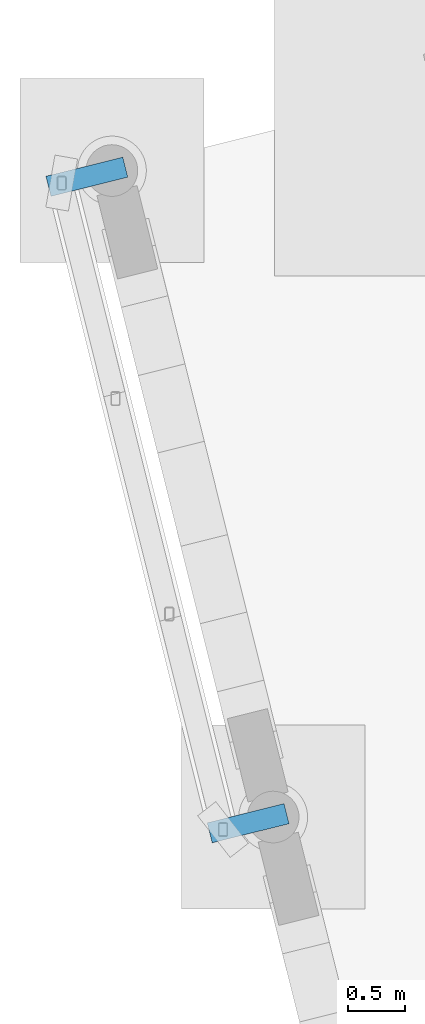
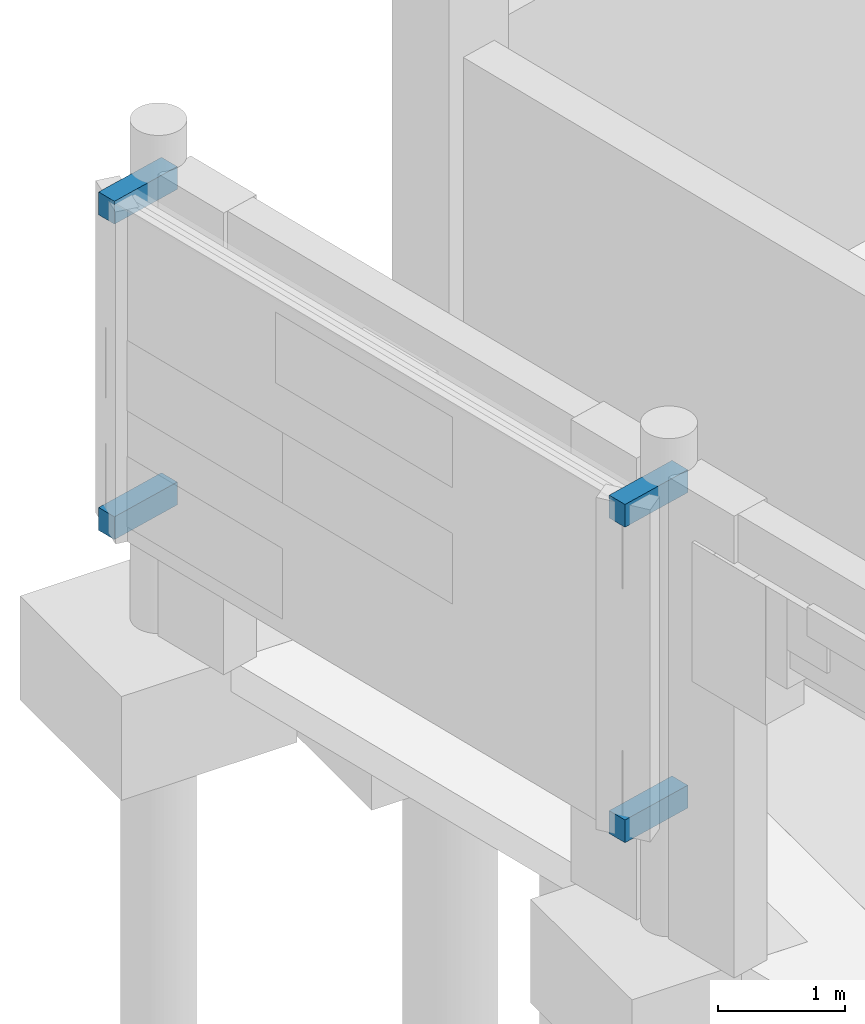
# One storey, part 55 of 72: 4 discrete accessories.
"""IFC4 building model written with IfcOpenShell, lengths in metres."""

from ifc_helpers import new_model, si_unit, direction, frame, origin, origin_2d, place, context, subcontext, project, spatial, rectangle, extrude, material, type_object, element, save


model = new_model("IFC4")

# Units and contexts
model_context = context("Model", 3, precision=1e-05, world=origin(), true_north=direction((0.0, 1.0)))
body_context = subcontext(model_context, "Body", "Model", "MODEL_VIEW")
ifc_project = project(units=[si_unit("LENGTHUNIT", "METRE"), si_unit("AREAUNIT", "SQUARE_METRE"), si_unit("VOLUMEUNIT", "CUBIC_METRE"), si_unit("PLANEANGLEUNIT", "RADIAN"), si_unit("MASSUNIT", "GRAM", prefix="KILO")], contexts=[model_context])

# Site, building, storey
site_placement = place(None, origin())
site = spatial("IfcSite", under=ifc_project, at=site_placement, CompositionType="ELEMENT")
building_placement = place(site_placement, origin())
building = spatial("IfcBuilding", under=site, at=building_placement, Name="Cinderway Yard Community Centre", CompositionType="ELEMENT")
storey_placement = place(building_placement, origin())
storey = spatial("IfcBuildingStorey", under=building, at=storey_placement, Name="L00", CompositionType="ELEMENT", Elevation=0.0)

# Discrete accessories
ifc_material = material(Name="Steel S355", Category="steel")
discrete_accessory_type = type_object("IfcDiscreteAccessoryType", Name="ENV-ACC-BRACKET", PredefinedType="BRACKET", material=ifc_material)
for number, where, z_axis, x_axis, name in (
    (1, (8.068115234375, 58.054931640625, 1.06982421875), (0.0, 0.0, 1.0), (-0.970295726276, -0.2419218956, 0.0), "Screen outrigger bracket 0683"),
    (2, (8.068115234375, 58.054931640625, 4.10986328125), (0.0, 0.0, 1.0), (-0.970295726276, -0.2419218956, 0.0), "Screen outrigger bracket 0684"),
    (3, (6.6640625, 63.68310546875, 1.06982421875), (0.0, 0.0, 1.0), (-0.970295726276, -0.2419218956, 0.0), "Screen outrigger bracket 0687"),
    (4, (6.6640625, 63.68310546875, 4.10986328125), (0.0, 0.0, 1.0), (-0.970295726276, -0.2419218956, 0.0), "Screen outrigger bracket 0688"),
):
    element("IfcDiscreteAccessory", number, at=place(storey_placement, frame(where, z_axis=z_axis, x_axis=x_axis)), inside=storey, type_object=discrete_accessory_type, Name=name, PredefinedType="BRACKET", context=body_context, shape_type="SweptSolid", body=[
        extrude(rectangle(XDim=0.68994140625, YDim=0.179931640625, at=origin_2d()), origin(), (0.0, 0.0, 1.0), 0.219970703125),
    ])

save(model, "model.ifc")
